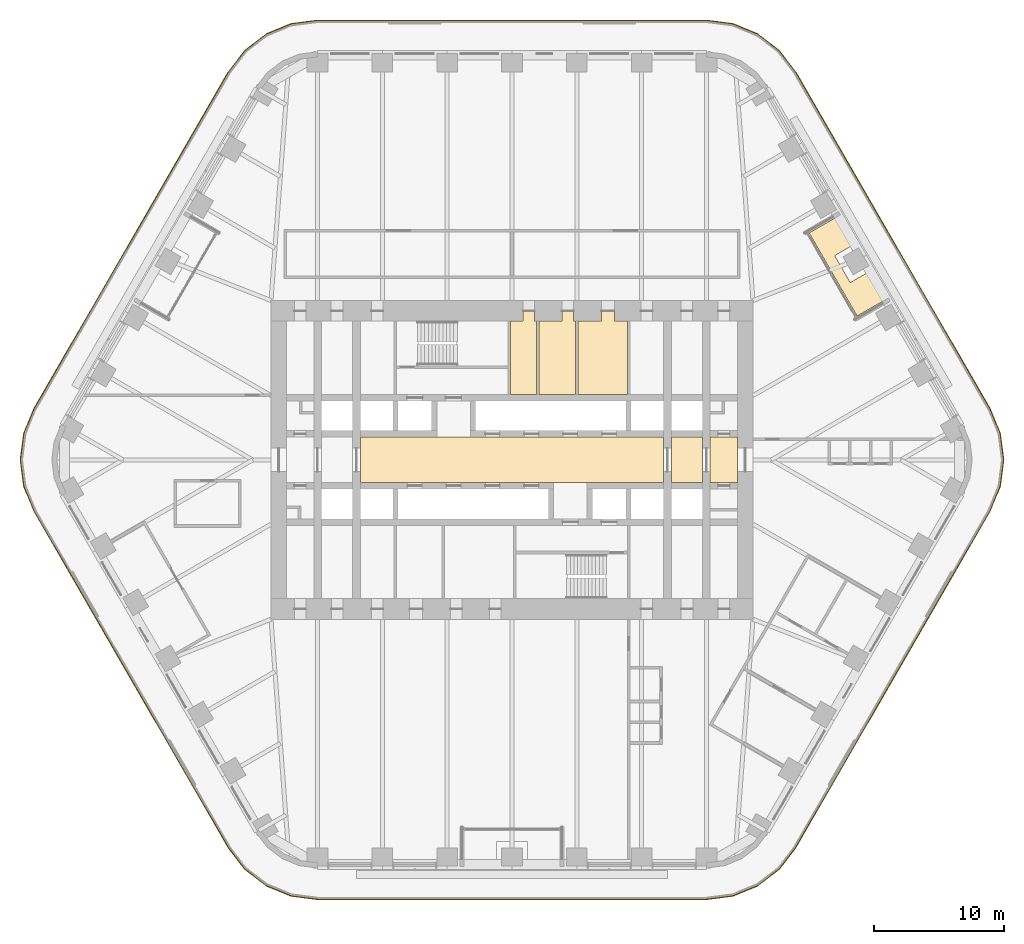
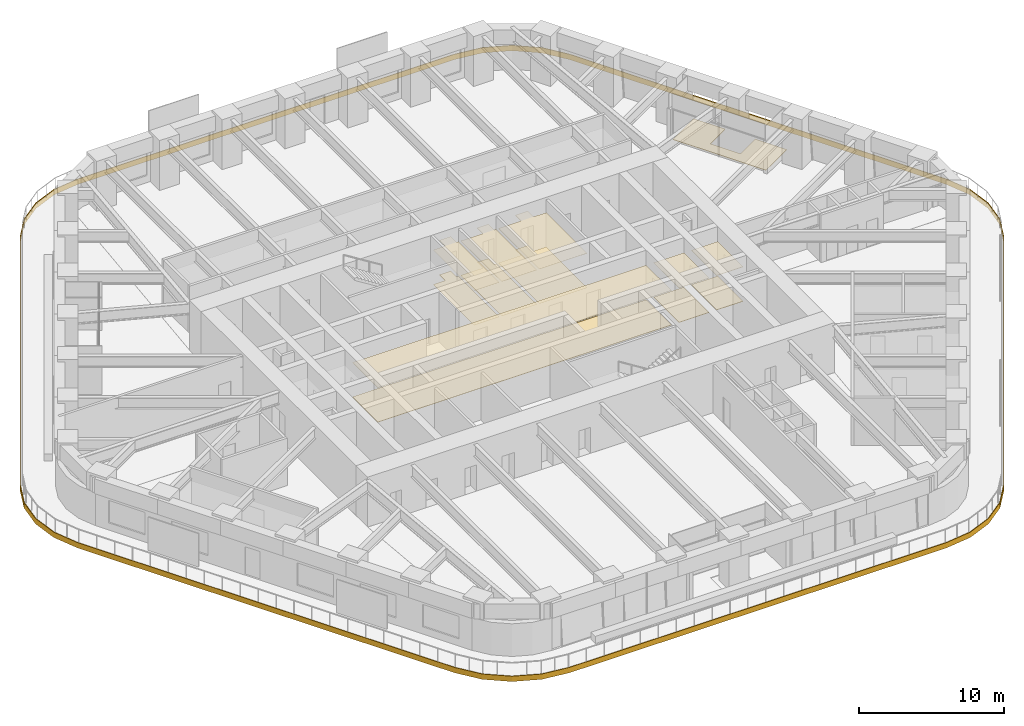
# One storey, part 23 of 24: 14 coverings.
"""IFC4 building model written with IfcOpenShell, lengths in metres."""

from ifc_helpers import new_model, si_unit, direction, frame, origin, place, context, subcontext, project, spatial, polyline, outline, extrude, material, layer, layer_set, type_object, element, save


model = new_model("IFC4")

# Units and contexts
model_context = context("Model", 3, precision=1e-05, world=origin(), true_north=direction((0.0, 1.0)))
body_context = subcontext(model_context, "Body", "Model", "MODEL_VIEW")
ifc_project = project(units=[si_unit("LENGTHUNIT", "METRE"), si_unit("AREAUNIT", "SQUARE_METRE"), si_unit("VOLUMEUNIT", "CUBIC_METRE"), si_unit("PLANEANGLEUNIT", "RADIAN"), si_unit("MASSUNIT", "GRAM", prefix="KILO")], contexts=[model_context])

# Site, building, storey
site_placement = place(None, origin())
site = spatial("IfcSite", under=ifc_project, at=site_placement, CompositionType="ELEMENT")
building_placement = place(site_placement, origin())
building = spatial("IfcBuilding", under=site, at=building_placement, Name="Tarfa Lantern Tower", CompositionType="ELEMENT")
storey_placement = place(building_placement, frame((0.0, 0.0, 161.5)))
storey = spatial("IfcBuildingStorey", under=building, at=storey_placement, Name="L36", CompositionType="ELEMENT", Elevation=161.5)

# Coverings
ifc_material_1 = material(Name="Moisture-resistant plasterboard", Category="finish")
ifc_layer_1 = layer(ifc_material_1, 0.014892578125)
ifc_layer_set_1 = layer_set([ifc_layer_1], Name="CL2 MOISTURE-RESISTANT PLASTERBOARD CEILING 15")
covering_type_1 = type_object("IfcCoveringType", Name="CL2 MOISTURE-RESISTANT PLASTERBOARD CEILING 15", PredefinedType="CEILING", material=ifc_layer_set_1)
covering_1_placement = place(storey_placement, frame((0.0, 0.0, 2.89990234375)))
element("IfcCovering", 1, at=covering_1_placement, inside=storey, type_object=covering_type_1, Name="Ceiling L36-09", PredefinedType="CEILING", context=body_context, shape_type="SweptSolid", body=[
    extrude(outline(polyline([(0.85009765625, 10.699951171875), (-0.10009765625, 10.699951171875), (-0.10009765625, 5.050048828125), (1.89990234375, 5.050048828125), (1.89990234375, 10.699951171875), (1.75, 10.699951171875), (1.75, 11.5), (1.75, 11.5), (0.85009765625, 11.5), (0.85009765625, 10.699951171875)])), origin(), (0.0, 0.0, 1.0), 0.01513671875),
])
covering_2_placement = place(storey_placement, frame((0.0, 0.0, 2.89990234375)))
element("IfcCovering", 2, at=covering_2_placement, inside=storey, type_object=covering_type_1, Name="Ceiling L36-10", PredefinedType="CEILING", context=body_context, shape_type="SweptSolid", body=[
    extrude(outline(polyline([(2.10009765625, 5.050048828125), (4.89990234375, 5.050048828125), (4.89990234375, 10.699951171875), (4.75, 10.699951171875), (4.75, 11.5), (3.85009765625, 11.5), (3.85009765625, 10.699951171875), (2.10009765625, 10.699951171875), (2.10009765625, 5.050048828125)])), origin(), (0.0, 0.0, 1.0), 0.01513671875),
])
covering_3_placement = place(storey_placement, frame((0.0, 0.0, 2.89990234375)))
element("IfcCovering", 3, at=covering_3_placement, inside=storey, type_object=covering_type_1, Name="Ceiling L36-11", PredefinedType="CEILING", context=body_context, shape_type="SweptSolid", body=[
    extrude(outline(polyline([(5.10009765625, 5.050048828125), (8.89990234375, 5.050048828125), (8.89990234375, 10.699951171875), (7.89990234375, 10.699951171875), (7.89990234375, 11.5), (6.89990234375, 11.5), (6.89990234375, 10.699951171875), (5.10009765625, 10.699951171875), (5.10009765625, 5.050048828125)])), origin(), (0.0, 0.0, 1.0), 0.01513671875),
])
ifc_material_2 = material(Name="Powder-coated aluminium panel", Category="aluminium")
ifc_layer_2 = layer(ifc_material_2, 0.030029296875)
ifc_layer_set_2 = layer_set([ifc_layer_2], Name="CL3 METAL PANEL CEILING 30")
covering_type_2 = type_object("IfcCoveringType", Name="CL3 METAL PANEL CEILING 30", PredefinedType="CEILING", material=ifc_layer_set_2)
covering_4_placement = place(storey_placement, frame((0.0, 0.0, 2.89990234375)))
element("IfcCovering", 4, at=covering_4_placement, inside=storey, type_object=covering_type_2, Name="Ceiling L36-03", PredefinedType="CEILING", context=body_context, shape_type="SweptSolid", body=[
    extrude(outline(polyline([(-11.699951171875, -1.75), (11.699951171875, -1.75), (11.699951171875, 1.75), (-11.699951171875, 1.75), (-11.699951171875, -1.75)])), origin(), (0.0, 0.0, 1.0), 0.030029296875),
])
covering_5_placement = place(storey_placement, frame((0.0, 0.0, 2.89990234375)))
element("IfcCovering", 5, at=covering_5_placement, inside=storey, type_object=covering_type_2, Name="Ceiling L36-04", PredefinedType="CEILING", context=body_context, shape_type="SweptSolid", body=[
    extrude(outline(polyline([(12.300048828125, -1.75), (14.699951171875, -1.75), (14.699951171875, 1.75), (12.300048828125, 1.75), (12.300048828125, -1.75)])), origin(), (0.0, 0.0, 1.0), 0.030029296875),
])
covering_6_placement = place(storey_placement, frame((0.0, 0.0, 2.89990234375)))
element("IfcCovering", 6, at=covering_6_placement, inside=storey, type_object=covering_type_2, Name="Ceiling L36-05", PredefinedType="CEILING", context=body_context, shape_type="SweptSolid", body=[
    extrude(outline(polyline([(15.300048828125, -1.75), (17.39990234375, -1.75), (17.39990234375, 1.75), (15.300048828125, 1.75), (15.300048828125, -1.75)])), origin(), (0.0, 0.0, 1.0), 0.030029296875),
])
ifc_material_3 = material(Name="Honed limestone flooring", Category="masonry")
ifc_layer_3 = layer(ifc_material_3, 0.030029296875)
ifc_layer_set_3 = layer_set([ifc_layer_3], Name="FL2 STONE FLOORING 30")
covering_type_3 = type_object("IfcCoveringType", Name="FL2 STONE FLOORING 30", PredefinedType="FLOORING", material=ifc_layer_set_3)
covering_7_placement = place(storey_placement, origin())
element("IfcCovering", 7, at=covering_7_placement, inside=storey, type_object=covering_type_3, Name="Floor finish L36-03", PredefinedType="FLOORING", context=body_context, shape_type="SweptSolid", body=[
    extrude(outline(polyline([(-11.699951171875, -1.75), (11.699951171875, -1.75), (11.699951171875, 1.75), (-11.699951171875, 1.75), (-11.699951171875, -1.75)])), origin(), (0.0, 0.0, 1.0), 0.030029296875),
])
covering_8_placement = place(storey_placement, origin())
element("IfcCovering", 8, at=covering_8_placement, inside=storey, type_object=covering_type_3, Name="Floor finish L36-04", PredefinedType="FLOORING", context=body_context, shape_type="SweptSolid", body=[
    extrude(outline(polyline([(12.300048828125, -1.75), (14.699951171875, -1.75), (14.699951171875, 1.75), (12.300048828125, 1.75), (12.300048828125, -1.75)])), origin(), (0.0, 0.0, 1.0), 0.030029296875),
])
covering_9_placement = place(storey_placement, origin())
element("IfcCovering", 9, at=covering_9_placement, inside=storey, type_object=covering_type_3, Name="Floor finish L36-05", PredefinedType="FLOORING", context=body_context, shape_type="SweptSolid", body=[
    extrude(outline(polyline([(15.300048828125, -1.75), (17.39990234375, -1.75), (17.39990234375, 1.75), (15.300048828125, 1.75), (15.300048828125, -1.75)])), origin(), (0.0, 0.0, 1.0), 0.030029296875),
])
ifc_material_4 = material(Name="Porcelain floor tile", Category="finish")
ifc_layer_4 = layer(ifc_material_4, 0.011962890625)
ifc_layer_set_4 = layer_set([ifc_layer_4], Name="FL3 CERAMIC TILE 12")
covering_type_4 = type_object("IfcCoveringType", Name="FL3 CERAMIC TILE 12", PredefinedType="FLOORING", material=ifc_layer_set_4)
covering_10_placement = place(storey_placement, origin())
element("IfcCovering", 10, at=covering_10_placement, inside=storey, type_object=covering_type_4, Name="Floor finish L36-09", PredefinedType="FLOORING", context=body_context, shape_type="SweptSolid", body=[
    extrude(outline(polyline([(0.85009765625, 10.699951171875), (-0.10009765625, 10.699951171875), (-0.10009765625, 5.050048828125), (1.89990234375, 5.050048828125), (1.89990234375, 10.699951171875), (1.75, 10.699951171875), (1.75, 11.5), (1.75, 11.5), (0.85009765625, 11.5), (0.85009765625, 10.699951171875)])), origin(), (0.0, 0.0, 1.0), 0.011962890625),
])
covering_11_placement = place(storey_placement, origin())
element("IfcCovering", 11, at=covering_11_placement, inside=storey, type_object=covering_type_4, Name="Floor finish L36-10", PredefinedType="FLOORING", context=body_context, shape_type="SweptSolid", body=[
    extrude(outline(polyline([(2.10009765625, 5.050048828125), (4.89990234375, 5.050048828125), (4.89990234375, 10.699951171875), (4.75, 10.699951171875), (4.75, 11.5), (3.85009765625, 11.5), (3.85009765625, 10.699951171875), (2.10009765625, 10.699951171875), (2.10009765625, 5.050048828125)])), origin(), (0.0, 0.0, 1.0), 0.011962890625),
])
covering_12_placement = place(storey_placement, origin())
element("IfcCovering", 12, at=covering_12_placement, inside=storey, type_object=covering_type_4, Name="Floor finish L36-11", PredefinedType="FLOORING", context=body_context, shape_type="SweptSolid", body=[
    extrude(outline(polyline([(5.10009765625, 5.050048828125), (8.89990234375, 5.050048828125), (8.89990234375, 10.699951171875), (7.89990234375, 10.699951171875), (7.89990234375, 11.5), (6.89990234375, 11.5), (6.89990234375, 10.699951171875), (5.10009765625, 10.699951171875), (5.10009765625, 5.050048828125)])), origin(), (0.0, 0.0, 1.0), 0.011962890625),
])
ifc_material_5 = material(Name="Porcelain pavers on pedestals", Category="ceramic")
ifc_layer_5 = layer(ifc_material_5, 0.0400390625)
ifc_layer_set_5 = layer_set([ifc_layer_5], Name="LP1 LOGGIA PAVING 40")
covering_type_5 = type_object("IfcCoveringType", Name="LP1 LOGGIA PAVING 40", PredefinedType="FLOORING", material=ifc_layer_set_5)
covering_13_placement = place(storey_placement, origin())
element("IfcCovering", 13, at=covering_13_placement, inside=storey, type_object=covering_type_5, Name="Loggia paving NE", PredefinedType="FLOORING", context=body_context, shape_type="SweptSolid", body=[
    extrude(outline(polyline([(29.131591796875, 12.54248046875), (26.637451171875, 11.1025390625), (22.933837890625, 17.517578125), (25.427978515625, 18.95751953125), (26.6796875, 16.789306640625), (24.904541015625, 15.76416015625), (26.1044921875, 13.685791015625), (27.8798828125, 14.710693359375), (29.131591796875, 12.54248046875)])), origin(), (0.0, 0.0, 1.0), 0.0400390625),
])
ifc_material_6 = material(Name="Limestone cladding on brackets", Category="masonry")
ifc_layer_6 = layer(ifc_material_6, 0.050048828125)
ifc_layer_set_6 = layer_set([ifc_layer_6], Name="SB1 STONE BAND CLADDING 50")
covering_type_6 = type_object("IfcCoveringType", Name="SB1 STONE BAND CLADDING 50", PredefinedType="CLADDING", material=ifc_layer_set_6)
covering_14_placement = place(storey_placement, frame((0.0, 0.0, -0.39990234375)))
element("IfcCovering", 14, at=covering_14_placement, inside=storey, type_object=covering_type_6, Name="Stone band", PredefinedType="CLADDING", context=body_context, shape_type="SweptSolid", body=[
    extrude(outline(polyline([(36.9072265625, 3.97509765625), (21.89599609375, 29.97509765625), (20.632568359375, 31.62158203125), (18.986083984375, 32.885009765625), (17.068603515625, 33.67919921875), (15.010986328125, 33.949951171875), (-15.010986328125, 33.949951171875), (-17.068603515625, 33.67919921875), (-18.986083984375, 32.885009765625), (-20.632568359375, 31.62158203125), (-21.89599609375, 29.97509765625), (-36.9072265625, 3.97509765625), (-37.701416015625, 2.0576171875), (-37.97216796875, 0.0), (-37.701416015625, -2.0576171875), (-36.9072265625, -3.97509765625), (-21.89599609375, -29.97509765625), (-20.632568359375, -31.62158203125), (-18.986083984375, -32.885009765625), (-17.068603515625, -33.67919921875), (-15.010986328125, -33.949951171875), (15.010986328125, -33.949951171875), (17.068603515625, -33.67919921875), (18.986083984375, -32.885009765625), (20.632568359375, -31.62158203125), (21.89599609375, -29.97509765625), (36.9072265625, -3.97509765625), (37.701416015625, -2.0576171875), (37.97216796875, 0.0), (37.701416015625, 2.0576171875), (36.9072265625, 3.97509765625)]), holes=[polyline([(36.86376953125, 3.949951171875), (21.852783203125, 29.949951171875), (20.59716796875, 31.586181640625), (18.961181640625, 32.841552734375), (17.0556640625, 33.630859375), (15.010986328125, 33.89990234375), (-15.010986328125, 33.89990234375), (-17.0556640625, 33.630859375), (-18.961181640625, 32.841552734375), (-20.59716796875, 31.586181640625), (-21.852783203125, 29.949951171875), (-36.86376953125, 3.949951171875), (-37.653076171875, 2.044677734375), (-37.922119140625, 0.0), (-37.653076171875, -2.044677734375), (-36.86376953125, -3.949951171875), (-21.852783203125, -29.949951171875), (-20.59716796875, -31.586181640625), (-18.961181640625, -32.841552734375), (-17.0556640625, -33.630859375), (-15.010986328125, -33.89990234375), (15.010986328125, -33.89990234375), (17.0556640625, -33.630859375), (18.961181640625, -32.841552734375), (20.59716796875, -31.586181640625), (21.852783203125, -29.949951171875), (36.86376953125, -3.949951171875), (37.653076171875, -2.044677734375), (37.922119140625, 0.0), (37.653076171875, 2.044677734375), (36.86376953125, 3.949951171875)])]), origin(), (0.0, 0.0, 1.0), 0.449951171875),
])

save(model, "model.ifc")
